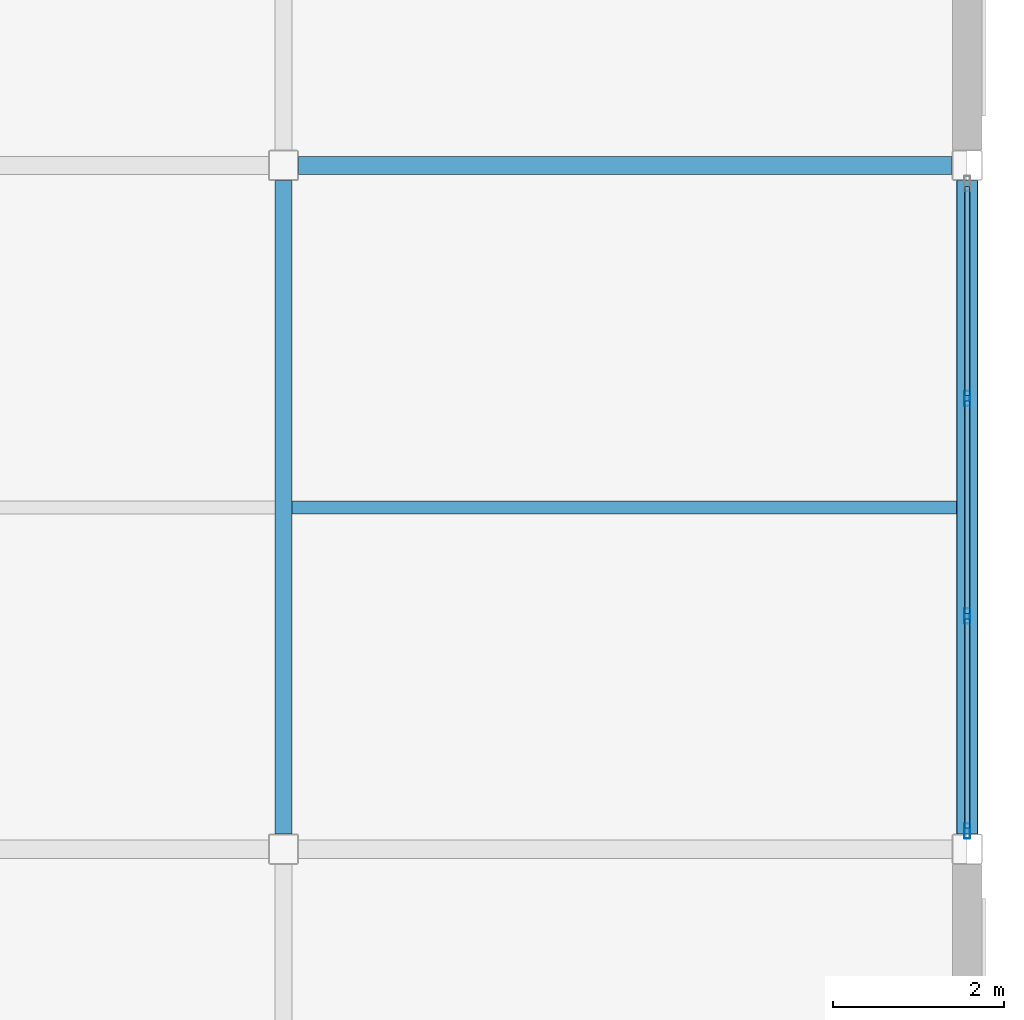
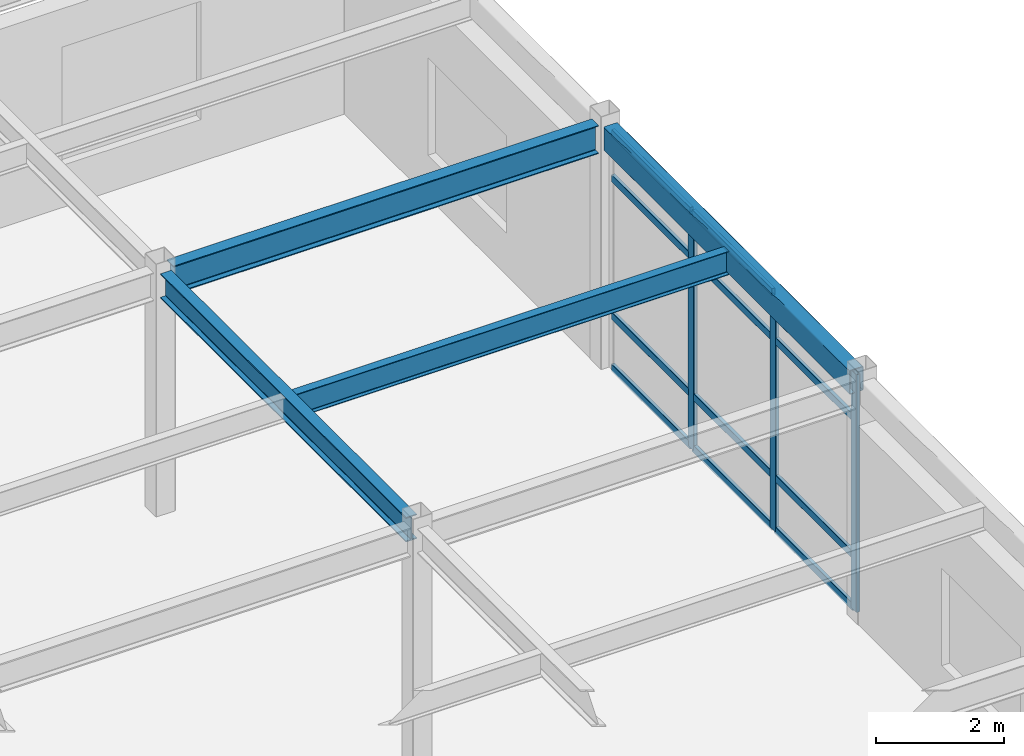
# One storey, part 70 of 117: 15 members, 4 beams, 1 element without a shape of its own.
"""IFC4 building model written with IfcOpenShell, lengths in metres."""

from ifc_helpers import new_model, si_unit, direction, frame, origin, origin_2d, place, context, subcontext, project, spatial, hollow_rectangle, i_section, extrude, material, material_profile, profile_set, type_object, element, aggregate, save


model = new_model("IFC4")

# Units and contexts
model_context = context("Model", 3, precision=1e-05, world=origin(), true_north=direction((0.0, 1.0)))
body_context = subcontext(model_context, "Body", "Model", "MODEL_VIEW")
ifc_project = project(units=[si_unit("LENGTHUNIT", "METRE"), si_unit("AREAUNIT", "SQUARE_METRE"), si_unit("VOLUMEUNIT", "CUBIC_METRE"), si_unit("PLANEANGLEUNIT", "RADIAN"), si_unit("MASSUNIT", "GRAM", prefix="KILO")], contexts=[model_context])

# Site, building, storey
site_placement = place(None, origin())
site = spatial("IfcSite", under=ifc_project, at=site_placement, CompositionType="ELEMENT")
building_placement = place(site_placement, origin())
building = spatial("IfcBuilding", under=site, at=building_placement, Name="Solmirada Galleria", CompositionType="ELEMENT")
storey_placement = place(building_placement, frame((0.0, 0.0, 5.60009765625)))
storey = spatial("IfcBuildingStorey", under=building, at=storey_placement, Name="L01", CompositionType="ELEMENT", Elevation=5.60009765625)

# Beams
ifc_material_1 = material(Name="Steel S355 / ASTM A992 Grade 50", Category="steel")
ifc_material_profile_1 = material_profile(ifc_material_1, i_section(OverallWidth=0.194091796875, OverallDepth=0.468994140625, WebThickness=0.0126953125, FlangeThickness=0.0205078125, FilletRadius=0.013916015625, at=origin_2d()), Name="W18X71")
ifc_profile_set_1 = profile_set([ifc_material_profile_1], Name="Steel S355 / ASTM A992 Grade 50")
beam_type_1 = type_object("IfcBeamType", Name="BM-GIRD-W18B", PredefinedType="BEAM", material=ifc_profile_set_1)
beam_1_placement = place(storey_placement, frame((168.0, 16.177978515625, 4.365478515625), z_axis=(0.0, 1.0, 0.0), x_axis=(-1.0, 0.0, 0.0)))
element("IfcBeam", 1, at=beam_1_placement, inside=storey, type_object=beam_type_1, Name="Primary girder L02 Y(168, 16..24)", PredefinedType="BEAM", context=body_context, shape_type="SweptSolid", body=[
    extrude(i_section(OverallWidth=0.194091796875, OverallDepth=0.468994140625, WebThickness=0.0126953125, FlangeThickness=0.0205078125, FilletRadius=0.013916015625, at=origin_2d()), origin(), (0.0, 0.0, 1.0), 7.64404296875),
])
ifc_material_profile_2 = material_profile(ifc_material_1, i_section(OverallWidth=0.2099609375, OverallDepth=0.537109375, WebThickness=0.010986328125, FlangeThickness=0.017333984375, FilletRadius=0.014892578125, at=origin_2d()), Name="W21X68")
ifc_profile_set_2 = profile_set([ifc_material_profile_2], Name="Steel S355 / ASTM A992 Grade 50")
beam_type_2 = type_object("IfcBeamType", Name="BM-GIRD-W21B", PredefinedType="BEAM", material=ifc_profile_set_2)
beam_2_placement = place(storey_placement, frame((168.177978515625, 24.0, 4.331298828125), z_axis=(1.0, 0.0, 0.0), x_axis=(0.0, 1.0, 0.0)))
element("IfcBeam", 2, at=beam_2_placement, inside=storey, type_object=beam_type_2, Name="Primary beam L02 X(168..176, 24)", PredefinedType="BEAM", context=body_context, shape_type="SweptSolid", body=[
    extrude(i_section(OverallWidth=0.2099609375, OverallDepth=0.537109375, WebThickness=0.010986328125, FlangeThickness=0.017333984375, FilletRadius=0.014892578125, at=origin_2d()), origin(), (0.0, 0.0, 1.0), 7.64404296875),
])
ifc_material_profile_3 = material_profile(ifc_material_1, i_section(OverallWidth=0.152099609375, OverallDepth=0.449951171875, WebThickness=0.007568359375, FlangeThickness=0.0107421875, FilletRadius=0.011962890625, at=origin_2d()), Name="W18X35")
ifc_profile_set_3 = profile_set([ifc_material_profile_3], Name="Steel S355 / ASTM A992 Grade 50")
beam_type_3 = type_object("IfcBeamType", Name="BM-JST-W18B", PredefinedType="JOIST", material=ifc_profile_set_3)
beam_3_placement = place(storey_placement, frame((168.096923828125, 20.0, 4.375), z_axis=(1.0, 0.0, 0.0), x_axis=(0.0, 1.0, 0.0)))
element("IfcBeam", 3, at=beam_3_placement, inside=storey, type_object=beam_type_3, Name="Composite floor joist L02 (168..176, 20.0)", PredefinedType="JOIST", context=body_context, shape_type="SweptSolid", body=[
    extrude(i_section(OverallWidth=0.152099609375, OverallDepth=0.449951171875, WebThickness=0.007568359375, FlangeThickness=0.0107421875, FilletRadius=0.011962890625, at=origin_2d()), origin(), (0.0, 0.0, 1.0), 7.776123046875),
])
ifc_material_2 = material(Name="Steel S355 / ASTM A500 Grade C", Category="steel")
ifc_material_profile_4 = material_profile(ifc_material_2, hollow_rectangle(XDim=0.25390625, YDim=0.45703125, WallThickness=0.01171875, InnerFilletRadius=0.01171875, OuterFilletRadius=0.023681640625, at=origin_2d()), Name="HSS18X10X1/2")
ifc_profile_set_4 = profile_set([ifc_material_profile_4], Name="Steel S355 / ASTM A500 Grade C")
beam_type_4 = type_object("IfcBeamType", Name="BM-SPAND-W18", PredefinedType="SPANDREL", material=ifc_profile_set_4)
beam_4_placement = place(storey_placement, frame((176.0, 16.177978515625, 4.371337890625), z_axis=(0.0, 1.0, 0.0), x_axis=(-1.0, 0.0, 0.0)))
element("IfcBeam", 4, at=beam_4_placement, inside=storey, type_object=beam_type_4, Name="Primary girder L02 Y(176, 16..24)", PredefinedType="SPANDREL", context=body_context, shape_type="SweptSolid", body=[
    extrude(hollow_rectangle(XDim=0.25390625, YDim=0.45703125, WallThickness=0.01171875, InnerFilletRadius=0.01171875, OuterFilletRadius=0.023681640625, at=origin_2d()), origin(), (0.0, 0.0, 1.0), 7.64404296875),
])

# Curtain wall, members
ifc_material_3 = material(Name="Impact-resistant low-E double glazing", Category="glass")
curtain_wall_type = type_object("IfcCurtainWallType", Name="CW-FZ5-L01-B3-L076", PredefinedType="NOTDEFINED", material=ifc_material_3)
curtain_wall_placement = place(storey_placement, origin())
curtain_wall = element("IfcCurtainWall", 5, at=curtain_wall_placement, inside=storey, type_object=curtain_wall_type, Name="Terrace and arcade storefront CW-L01-078", PredefinedType="NOTDEFINED")
ifc_material_4 = material(Name="Anodised aluminium framing", Category="aluminium")
ifc_material_profile_5 = material_profile(ifc_material_4, hollow_rectangle(XDim=0.06494140625, YDim=0.179931640625, WallThickness=0.00390625, InnerFilletRadius=0.00390625, OuterFilletRadius=0.008056640625, at=origin_2d()), Name="ALU-MULL-180X65")
ifc_profile_set_5 = profile_set([ifc_material_profile_5], Name="Anodised aluminium framing")
member_type_1 = type_object("IfcMemberType", Name="CW-MULL-180", PredefinedType="MULLION", material=ifc_profile_set_5)
member_1_placement = place(storey_placement, frame((176.0, 21.2734375, 0.0), z_axis=(0.0, 0.0, 1.0), x_axis=(1.0, 0.0, 0.0)))
member_1 = element("IfcMember", 6, at=member_1_placement, type_object=member_type_1, Name="CW18 mullion 2", PredefinedType="MULLION", context=body_context, shape_type="SweptSolid", body=[
    extrude(hollow_rectangle(XDim=0.06494140625, YDim=0.179931640625, WallThickness=0.00390625, InnerFilletRadius=0.00390625, OuterFilletRadius=0.008056640625, at=origin_2d()), origin(), (0.0, 0.0, 1.0), 4.52001953125),
])
member_2_placement = place(storey_placement, frame((176.0, 18.7265625, 0.0), z_axis=(0.0, 0.0, 1.0), x_axis=(1.0, 0.0, 0.0)))
member_2 = element("IfcMember", 7, at=member_2_placement, type_object=member_type_1, Name="CW18 mullion 3", PredefinedType="MULLION", context=body_context, shape_type="SweptSolid", body=[
    extrude(hollow_rectangle(XDim=0.06494140625, YDim=0.179931640625, WallThickness=0.00390625, InnerFilletRadius=0.00390625, OuterFilletRadius=0.008056640625, at=origin_2d()), origin(), (0.0, 0.0, 1.0), 4.52001953125),
])
member_3_placement = place(storey_placement, frame((176.0, 16.21240234375, 0.0), z_axis=(0.0, 0.0, 1.0), x_axis=(1.0, 0.0, 0.0)))
member_3 = element("IfcMember", 8, at=member_3_placement, type_object=member_type_1, Name="CW18 mullion 4", PredefinedType="MULLION", context=body_context, shape_type="SweptSolid", body=[
    extrude(hollow_rectangle(XDim=0.06494140625, YDim=0.179931640625, WallThickness=0.00390625, InnerFilletRadius=0.00390625, OuterFilletRadius=0.008056640625, at=origin_2d()), origin(), (0.0, 0.0, 1.0), 4.52001953125),
])
ifc_material_profile_6 = material_profile(ifc_material_4, hollow_rectangle(XDim=0.06494140625, YDim=0.139892578125, WallThickness=0.00341796875, InnerFilletRadius=0.00341796875, OuterFilletRadius=0.007080078125, at=origin_2d()), Name="ALU-TRAN-140X65")
ifc_profile_set_6 = profile_set([ifc_material_profile_6], Name="Anodised aluminium framing")
member_type_2 = type_object("IfcMemberType", Name="CW-TRAN-140", PredefinedType="USERDEFINED", material=ifc_profile_set_6)
member_4_placement = place(storey_placement, frame((176.0, 23.7548828125, 0.032470703125), z_axis=(0.0, -1.0, 0.0), x_axis=(1.0, 0.0, 0.0)))
member_4 = element("IfcMember", 9, at=member_4_placement, type_object=member_type_2, Name="CW18 transom 1.1", ObjectType="TRANSOM", PredefinedType="USERDEFINED", context=body_context, shape_type="SweptSolid", body=[
    extrude(hollow_rectangle(XDim=0.06494140625, YDim=0.139892578125, WallThickness=0.00341796875, InnerFilletRadius=0.00341796875, OuterFilletRadius=0.007080078125, at=origin_2d()), origin(), (0.0, 0.0, 1.0), 2.448974609375),
])
member_5_placement = place(storey_placement, frame((176.0, 23.7548828125, 1.02001953125), z_axis=(0.0, -1.0, 0.0), x_axis=(1.0, 0.0, 0.0)))
member_5 = element("IfcMember", 10, at=member_5_placement, type_object=member_type_2, Name="CW18 transom 1.2", ObjectType="TRANSOM", PredefinedType="USERDEFINED", context=body_context, shape_type="SweptSolid", body=[
    extrude(hollow_rectangle(XDim=0.06494140625, YDim=0.139892578125, WallThickness=0.00341796875, InnerFilletRadius=0.00341796875, OuterFilletRadius=0.007080078125, at=origin_2d()), origin(), (0.0, 0.0, 1.0), 2.448974609375),
])
member_6_placement = place(storey_placement, frame((176.0, 23.7548828125, 3.6298828125), z_axis=(0.0, -1.0, 0.0), x_axis=(1.0, 0.0, 0.0)))
member_6 = element("IfcMember", 11, at=member_6_placement, type_object=member_type_2, Name="CW18 transom 1.3", ObjectType="TRANSOM", PredefinedType="USERDEFINED", context=body_context, shape_type="SweptSolid", body=[
    extrude(hollow_rectangle(XDim=0.06494140625, YDim=0.139892578125, WallThickness=0.00341796875, InnerFilletRadius=0.00341796875, OuterFilletRadius=0.007080078125, at=origin_2d()), origin(), (0.0, 0.0, 1.0), 2.448974609375),
])
member_7_placement = place(storey_placement, frame((176.0, 23.7548828125, 4.4873046875), z_axis=(0.0, -1.0, 0.0), x_axis=(1.0, 0.0, 0.0)))
member_7 = element("IfcMember", 12, at=member_7_placement, type_object=member_type_2, Name="CW18 transom 1.4", ObjectType="TRANSOM", PredefinedType="USERDEFINED", context=body_context, shape_type="SweptSolid", body=[
    extrude(hollow_rectangle(XDim=0.06494140625, YDim=0.139892578125, WallThickness=0.00341796875, InnerFilletRadius=0.00341796875, OuterFilletRadius=0.007080078125, at=origin_2d()), origin(), (0.0, 0.0, 1.0), 2.448974609375),
])
member_8_placement = place(storey_placement, frame((176.0, 21.24072265625, 0.032470703125), z_axis=(0.0, -1.0, 0.0), x_axis=(1.0, 0.0, 0.0)))
member_8 = element("IfcMember", 13, at=member_8_placement, type_object=member_type_2, Name="CW18 transom 2.1", ObjectType="TRANSOM", PredefinedType="USERDEFINED", context=body_context, shape_type="SweptSolid", body=[
    extrude(hollow_rectangle(XDim=0.06494140625, YDim=0.139892578125, WallThickness=0.00341796875, InnerFilletRadius=0.00341796875, OuterFilletRadius=0.007080078125, at=origin_2d()), origin(), (0.0, 0.0, 1.0), 2.4814453125),
])
member_9_placement = place(storey_placement, frame((176.0, 21.24072265625, 1.02001953125), z_axis=(0.0, -1.0, 0.0), x_axis=(1.0, 0.0, 0.0)))
member_9 = element("IfcMember", 14, at=member_9_placement, type_object=member_type_2, Name="CW18 transom 2.2", ObjectType="TRANSOM", PredefinedType="USERDEFINED", context=body_context, shape_type="SweptSolid", body=[
    extrude(hollow_rectangle(XDim=0.06494140625, YDim=0.139892578125, WallThickness=0.00341796875, InnerFilletRadius=0.00341796875, OuterFilletRadius=0.007080078125, at=origin_2d()), origin(), (0.0, 0.0, 1.0), 2.4814453125),
])
member_10_placement = place(storey_placement, frame((176.0, 21.24072265625, 3.6298828125), z_axis=(0.0, -1.0, 0.0), x_axis=(1.0, 0.0, 0.0)))
member_10 = element("IfcMember", 15, at=member_10_placement, type_object=member_type_2, Name="CW18 transom 2.3", ObjectType="TRANSOM", PredefinedType="USERDEFINED", context=body_context, shape_type="SweptSolid", body=[
    extrude(hollow_rectangle(XDim=0.06494140625, YDim=0.139892578125, WallThickness=0.00341796875, InnerFilletRadius=0.00341796875, OuterFilletRadius=0.007080078125, at=origin_2d()), origin(), (0.0, 0.0, 1.0), 2.4814453125),
])
member_11_placement = place(storey_placement, frame((176.0, 21.24072265625, 4.4873046875), z_axis=(0.0, -1.0, 0.0), x_axis=(1.0, 0.0, 0.0)))
member_11 = element("IfcMember", 16, at=member_11_placement, type_object=member_type_2, Name="CW18 transom 2.4", ObjectType="TRANSOM", PredefinedType="USERDEFINED", context=body_context, shape_type="SweptSolid", body=[
    extrude(hollow_rectangle(XDim=0.06494140625, YDim=0.139892578125, WallThickness=0.00341796875, InnerFilletRadius=0.00341796875, OuterFilletRadius=0.007080078125, at=origin_2d()), origin(), (0.0, 0.0, 1.0), 2.4814453125),
])
member_12_placement = place(storey_placement, frame((176.0, 18.694091796875, 0.032470703125), z_axis=(0.0, -1.0, 0.0), x_axis=(1.0, 0.0, 0.0)))
member_12 = element("IfcMember", 17, at=member_12_placement, type_object=member_type_2, Name="CW18 transom 3.1", ObjectType="TRANSOM", PredefinedType="USERDEFINED", context=body_context, shape_type="SweptSolid", body=[
    extrude(hollow_rectangle(XDim=0.06494140625, YDim=0.139892578125, WallThickness=0.00341796875, InnerFilletRadius=0.00341796875, OuterFilletRadius=0.007080078125, at=origin_2d()), origin(), (0.0, 0.0, 1.0), 2.448974609375),
])
member_13_placement = place(storey_placement, frame((176.0, 18.694091796875, 1.02001953125), z_axis=(0.0, -1.0, 0.0), x_axis=(1.0, 0.0, 0.0)))
member_13 = element("IfcMember", 18, at=member_13_placement, type_object=member_type_2, Name="CW18 transom 3.2", ObjectType="TRANSOM", PredefinedType="USERDEFINED", context=body_context, shape_type="SweptSolid", body=[
    extrude(hollow_rectangle(XDim=0.06494140625, YDim=0.139892578125, WallThickness=0.00341796875, InnerFilletRadius=0.00341796875, OuterFilletRadius=0.007080078125, at=origin_2d()), origin(), (0.0, 0.0, 1.0), 2.448974609375),
])
member_14_placement = place(storey_placement, frame((176.0, 18.694091796875, 3.6298828125), z_axis=(0.0, -1.0, 0.0), x_axis=(1.0, 0.0, 0.0)))
member_14 = element("IfcMember", 19, at=member_14_placement, type_object=member_type_2, Name="CW18 transom 3.3", ObjectType="TRANSOM", PredefinedType="USERDEFINED", context=body_context, shape_type="SweptSolid", body=[
    extrude(hollow_rectangle(XDim=0.06494140625, YDim=0.139892578125, WallThickness=0.00341796875, InnerFilletRadius=0.00341796875, OuterFilletRadius=0.007080078125, at=origin_2d()), origin(), (0.0, 0.0, 1.0), 2.448974609375),
])
member_15_placement = place(storey_placement, frame((176.0, 18.694091796875, 4.4873046875), z_axis=(0.0, -1.0, 0.0), x_axis=(1.0, 0.0, 0.0)))
member_15 = element("IfcMember", 20, at=member_15_placement, type_object=member_type_2, Name="CW18 transom 3.4", ObjectType="TRANSOM", PredefinedType="USERDEFINED", context=body_context, shape_type="SweptSolid", body=[
    extrude(hollow_rectangle(XDim=0.06494140625, YDim=0.139892578125, WallThickness=0.00341796875, InnerFilletRadius=0.00341796875, OuterFilletRadius=0.007080078125, at=origin_2d()), origin(), (0.0, 0.0, 1.0), 2.448974609375),
])
aggregate(curtain_wall, [member_1, member_2, member_3, member_4, member_5, member_6, member_7, member_8, member_9, member_10, member_11, member_12, member_13, member_14, member_15])

save(model, "model.ifc")
